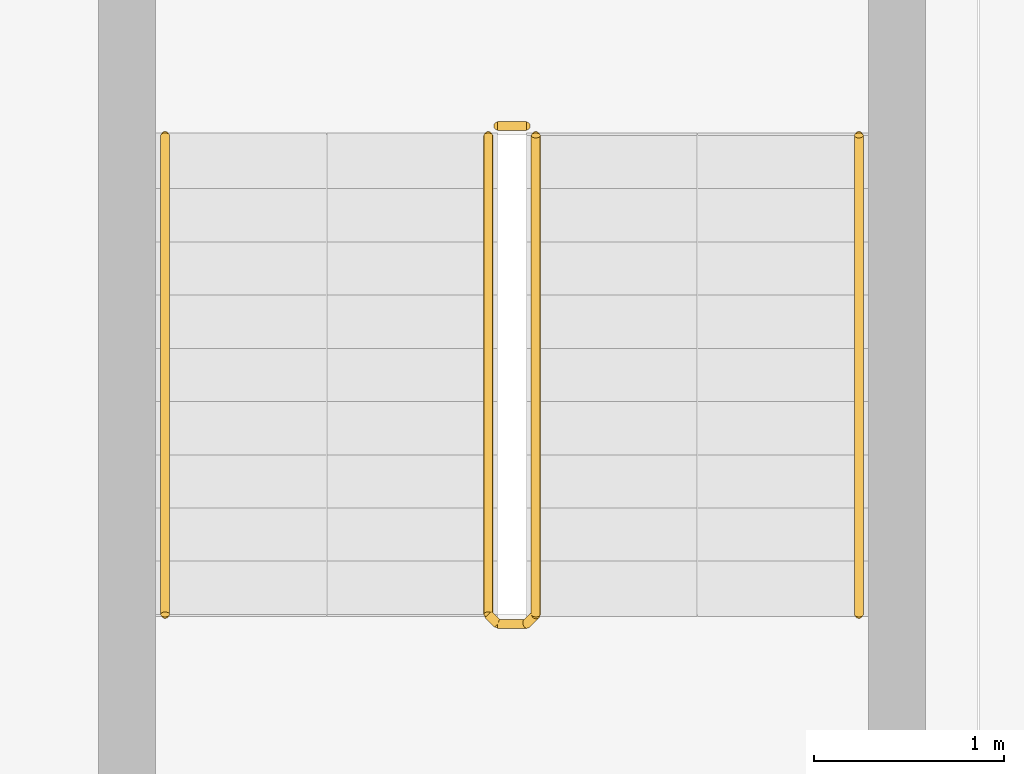
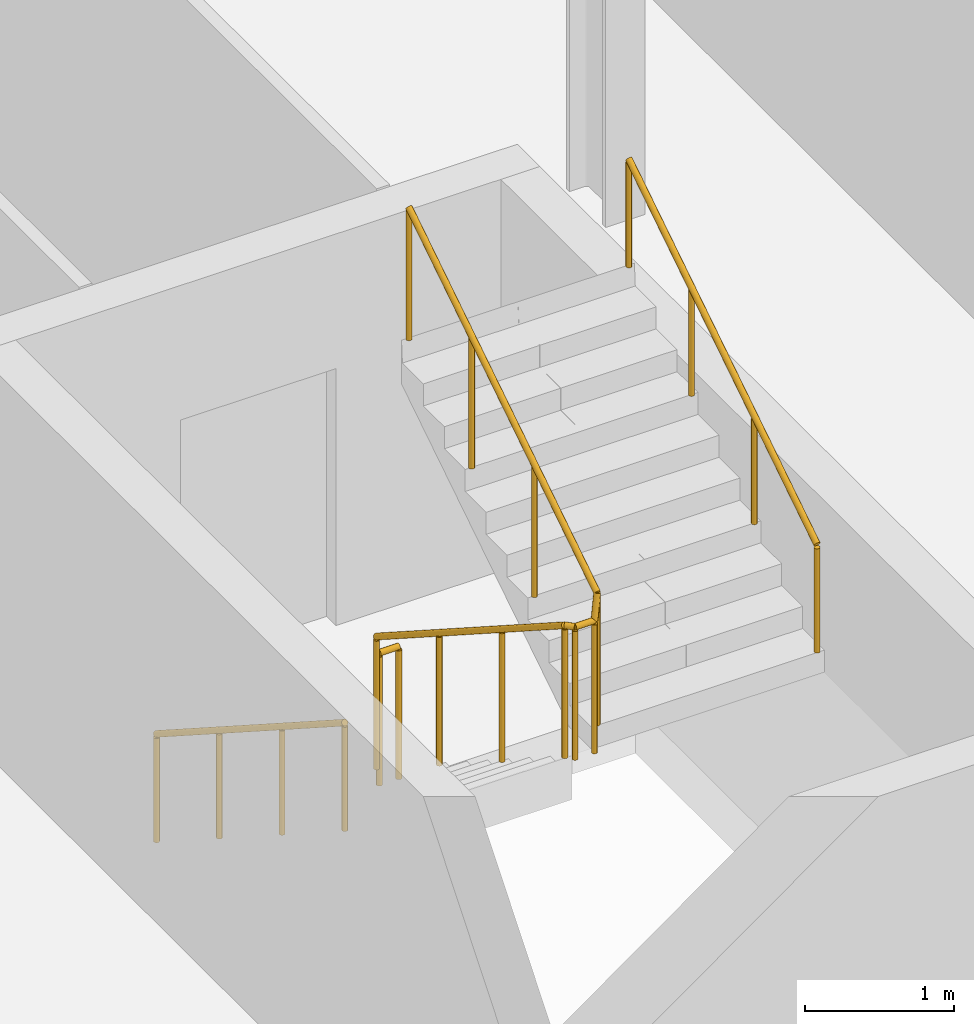
# One storey, part 24 of 26: 4 railings.
"""IFC4 building model written with IfcOpenShell, lengths in metres."""

from ifc_helpers import new_model, si_unit, direction, frame, origin, origin_2d, place, context, subcontext, project, spatial, circle, extrude, material, type_object, element, save


model = new_model("IFC4")

# Units and contexts
model_context = context("Model", 3, precision=1e-05, world=origin(), true_north=direction((0.0, 1.0)))
body_context = subcontext(model_context, "Body", "Model", "MODEL_VIEW")
ifc_project = project(units=[si_unit("LENGTHUNIT", "METRE"), si_unit("AREAUNIT", "SQUARE_METRE"), si_unit("VOLUMEUNIT", "CUBIC_METRE"), si_unit("PLANEANGLEUNIT", "RADIAN"), si_unit("MASSUNIT", "GRAM", prefix="KILO")], contexts=[model_context])

# Site, building, storey
site_placement = place(None, origin())
site = spatial("IfcSite", under=ifc_project, at=site_placement, CompositionType="ELEMENT")
building_placement = place(site_placement, origin())
building = spatial("IfcBuilding", under=site, at=building_placement, Name="Wharfspan Tower", CompositionType="ELEMENT")
storey_placement = place(building_placement, frame((0.0, 0.0, 125.5)))
storey = spatial("IfcBuildingStorey", under=building, at=storey_placement, Name="L29", CompositionType="ELEMENT", Elevation=125.5)

# Railings
ifc_material = material(Name="Steel S355J2", Category="steel")
railing_type_1 = type_object("IfcRailingType", Name="Stair guard 1100", PredefinedType="GUARDRAIL", material=ifc_material)
railing_1_placement = place(storey_placement, frame((43.235352, 6.316895, 0.179932)))
element("IfcRailing", 1, at=railing_1_placement, inside=storey, type_object=railing_type_1, Name="L29 ST4 stair guard 1", PredefinedType="GUARDRAIL", context=body_context, shape_type="SweptSolid", body=[
    extrude(circle(Radius=0.023926, at=origin_2d()), frame((0.0, 0.0, 1.076172), z_axis=(0.0, -0.841163, 0.540782), x_axis=(1.0, 0.0, 0.0)), (0.0, 0.0, 1.0), 2.99585),
    extrude(circle(Radius=0.023926, at=origin_2d()), frame((0.0, -2.52002, 2.696289), z_axis=(0.707107, -0.707107, 0.0), x_axis=(0.707107, 0.707107, 0.0)), (0.0, 0.0, 1.0), 0.070312),
    extrude(circle(Radius=0.023926, at=origin_2d()), frame((0.049805, -2.569824, 2.696289), z_axis=(1.0, 0.0, 0.0), x_axis=(0.0, 1.0, 0.0)), (0.0, 0.0, 1.0), 0.150146),
    extrude(circle(Radius=0.023926, at=origin_2d()), frame((0.199951, -2.569824, 2.696289), z_axis=(0.258932, 0.257669, 0.930892), x_axis=(-0.705372, 0.708833, -1e-06)), (0.0, 0.0, 1.0), 0.193359),
    extrude(circle(Radius=0.023926, at=origin_2d()), frame((0.25, -2.52002, 2.875977), z_axis=(0.0, 0.841163, 0.540782), x_axis=(-1.0, 0.0, 0.0)), (0.0, 0.0, 1.0), 2.99585),
    extrude(circle(Radius=0.020996, at=origin_2d()), origin(), (0.0, 0.0, 1.0), 1.052002),
    extrude(circle(Radius=0.020996, at=origin_2d()), frame((0.0, -0.840088, 0.540039)), (0.0, 0.0, 1.0), 1.052002),
    extrude(circle(Radius=0.020996, at=origin_2d()), frame((0.0, -1.679932, 1.080078)), (0.0, 0.0, 1.0), 1.052002),
    extrude(circle(Radius=0.020996, at=origin_2d()), frame((0.0, -2.52002, 1.620117)), (0.0, 0.0, 1.0), 1.052002),
    extrude(circle(Radius=0.020996, at=origin_2d()), frame((0.049805, -2.569824, 1.620117)), (0.0, 0.0, 1.0), 1.052002),
    extrude(circle(Radius=0.020996, at=origin_2d()), frame((0.199951, -2.569824, 1.620117)), (0.0, 0.0, 1.0), 1.052002),
    extrude(circle(Radius=0.020996, at=origin_2d()), frame((0.25, -2.52002, 1.800049)), (0.0, 0.0, 1.0), 1.052002),
    extrude(circle(Radius=0.020996, at=origin_2d()), frame((0.25, -1.679932, 2.340088)), (0.0, 0.0, 1.0), 1.052002),
    extrude(circle(Radius=0.020996, at=origin_2d()), frame((0.25, -0.840088, 2.880127)), (0.0, 0.0, 1.0), 1.052002),
    extrude(circle(Radius=0.020996, at=origin_2d()), frame((0.25, 0.0, 3.420166)), (0.0, 0.0, 1.0), 1.052002),
])
railing_2_placement = place(storey_placement, frame((43.285156, 6.366943, 0.0)))
element("IfcRailing", 2, at=railing_2_placement, inside=storey, type_object=railing_type_1, Name="L29 ST4 stair guard 2", PredefinedType="GUARDRAIL", context=body_context, shape_type="SweptSolid", body=[
    extrude(circle(Radius=0.023926, at=origin_2d()), frame((0.0, 0.0, 1.076172), z_axis=(1.0, 0.0, 0.0), x_axis=(0.0, 1.0, 0.0)), (0.0, 0.0, 1.0), 0.150146),
    extrude(circle(Radius=0.020996, at=origin_2d()), origin(), (0.0, 0.0, 1.0), 1.052002),
    extrude(circle(Radius=0.020996, at=origin_2d()), frame((0.150146, 0.0, 0.0)), (0.0, 0.0, 1.0), 1.052002),
])
railing_type_2 = type_object("IfcRailingType", Name="Stair handrail 900", PredefinedType="HANDRAIL", material=ifc_material)
railing_3_placement = place(storey_placement, frame((41.535156, 6.316895, 0.179932)))
element("IfcRailing", 3, at=railing_3_placement, inside=storey, type_object=railing_type_2, Name="L29 ST4 stair handrail 1", PredefinedType="HANDRAIL", context=body_context, shape_type="SweptSolid", body=[
    extrude(circle(Radius=0.023926, at=origin_2d()), frame((0.0, 0.0, 0.875977), z_axis=(0.0, -0.841163, 0.540782), x_axis=(1.0, 0.0, 0.0)), (0.0, 0.0, 1.0), 2.99585),
    extrude(circle(Radius=0.020996, at=origin_2d()), origin(), (0.0, 0.0, 1.0), 0.851807),
    extrude(circle(Radius=0.020996, at=origin_2d()), frame((0.0, -0.840088, 0.540039)), (0.0, 0.0, 1.0), 0.851807),
    extrude(circle(Radius=0.020996, at=origin_2d()), frame((0.0, -1.679932, 1.080078)), (0.0, 0.0, 1.0), 0.851807),
    extrude(circle(Radius=0.020996, at=origin_2d()), frame((0.0, -2.52002, 1.620117)), (0.0, 0.0, 1.0), 0.851807),
])
railing_4_placement = place(storey_placement, frame((45.185303, 3.796875, 1.97998)))
element("IfcRailing", 4, at=railing_4_placement, inside=storey, type_object=railing_type_2, Name="L29 ST4 stair handrail 2", PredefinedType="HANDRAIL", context=body_context, shape_type="SweptSolid", body=[
    extrude(circle(Radius=0.023926, at=origin_2d()), frame((0.0, 0.0, 0.875977), z_axis=(0.0, 0.841163, 0.540782), x_axis=(-1.0, 0.0, 0.0)), (0.0, 0.0, 1.0), 2.99585),
    extrude(circle(Radius=0.020996, at=origin_2d()), origin(), (0.0, 0.0, 1.0), 0.851807),
    extrude(circle(Radius=0.020996, at=origin_2d()), frame((0.0, 0.840088, 0.540039)), (0.0, 0.0, 1.0), 0.851807),
    extrude(circle(Radius=0.020996, at=origin_2d()), frame((0.0, 1.679932, 1.080078)), (0.0, 0.0, 1.0), 0.851807),
    extrude(circle(Radius=0.020996, at=origin_2d()), frame((0.0, 2.52002, 1.620117)), (0.0, 0.0, 1.0), 0.851807),
])

save(model, "model.ifc")
